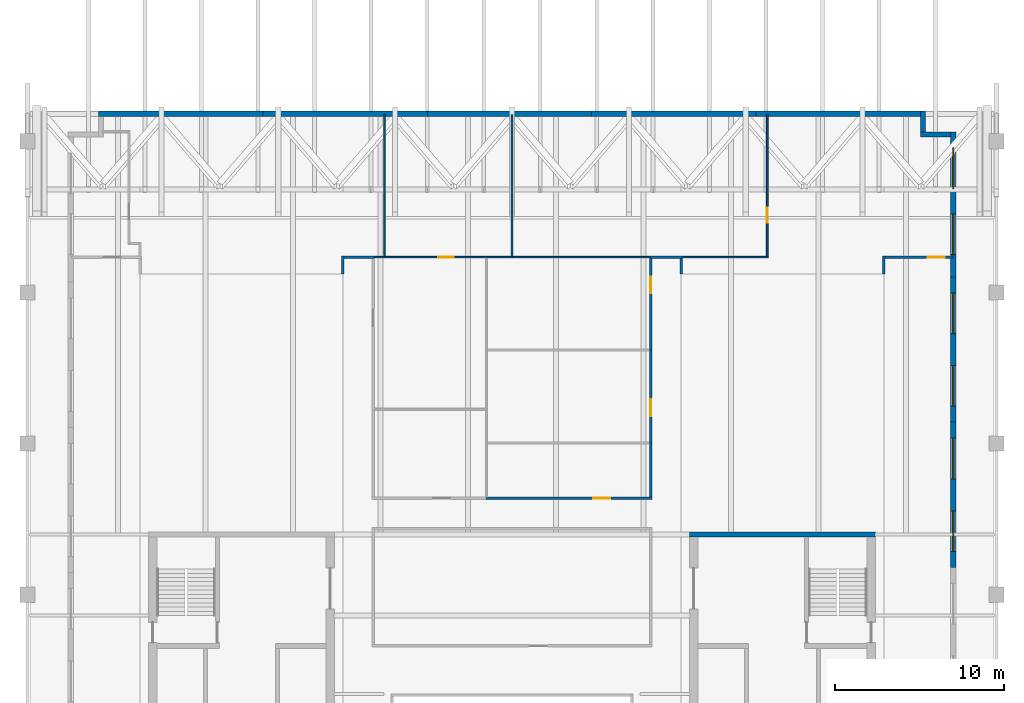
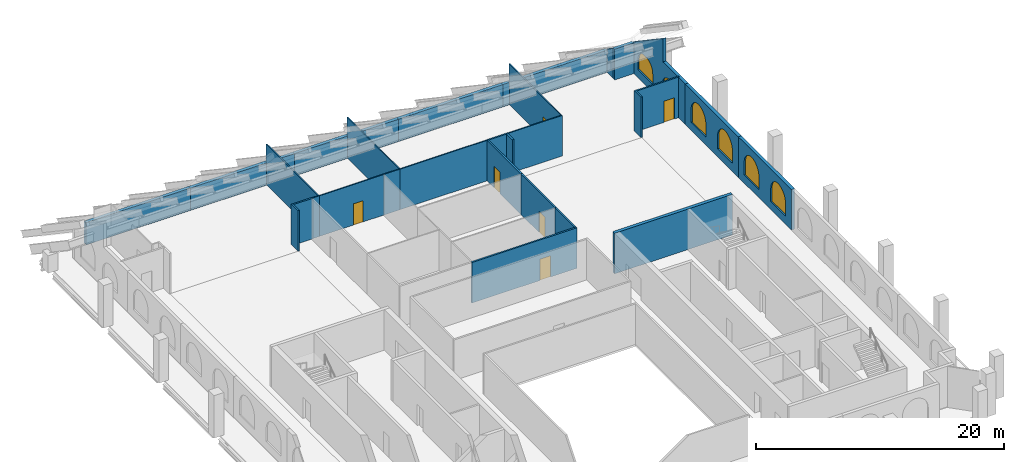
# One storey, part 7 of 9: 29 walls, 6 doors, 6 windows, 12 openings.
"""IFC4 building model written with IfcOpenShell, lengths in metres."""

from ifc_helpers import new_model, si_unit, direction, frame, frame_2d, origin, place, context, subcontext, project, spatial, polyline, rectangle, outline, extrude, material, layer, layer_set, type_object, element, fill, save


model = new_model("IFC4")

# Units and contexts
model_context = context("Model", 3, precision=1e-05, world=origin(), true_north=direction((0.0, 1.0)))
body_context = subcontext(model_context, "Body", "Model", "MODEL_VIEW")
ifc_project = project(units=[si_unit("LENGTHUNIT", "METRE"), si_unit("AREAUNIT", "SQUARE_METRE"), si_unit("VOLUMEUNIT", "CUBIC_METRE"), si_unit("PLANEANGLEUNIT", "RADIAN"), si_unit("MASSUNIT", "GRAM", prefix="KILO")], contexts=[model_context])

# Site, building, storey
site_placement = place(None, origin())
site = spatial("IfcSite", under=ifc_project, at=site_placement, CompositionType="ELEMENT")
building_placement = place(site_placement, origin())
building = spatial("IfcBuilding", under=site, at=building_placement, Name="Ogive Exchange Tower", CompositionType="ELEMENT")
storey_placement = place(building_placement, frame((0.0, 0.0, 373.199951171875)))
storey = spatial("IfcBuildingStorey", under=building, at=storey_placement, Name="C02", CompositionType="ELEMENT", Elevation=373.199951171875)

# Walls
ifc_material_1 = material(Name="Fire partition EI 60 150")
ifc_layer_1 = layer(ifc_material_1, 0.14990234375)
ifc_layer_set_1 = layer_set([ifc_layer_1], Name="Fire partition EI 60 150")
wall_type_1 = type_object("IfcWallType", Name="Fire partition EI 60 150", PredefinedType="PARTITIONING", material=ifc_layer_set_1)
wall_1_placement = place(storey_placement, frame((-10.0, 40.989990234375, 0.0), z_axis=(0.0, 0.0, 1.0), x_axis=(0.0, 1.0, 0.0)))
element("IfcWall", 1, at=wall_1_placement, inside=storey, type_object=wall_type_1, Name="C02-PWL-007", PredefinedType="PARTITIONING", context=body_context, shape_type="SweptSolid", body=[
    extrude(rectangle(XDim=1.0849609375, YDim=0.14990234375, at=frame_2d((0.54248046875, 0.0))), origin(), (0.0, 0.0, 1.0), 4.0),
])
wall_2_placement = place(storey_placement, frame((-9.925048828125, 42.0, 0.0), z_axis=(0.0, 0.0, 1.0), x_axis=(1.0, 0.0, 0.0)))
element("IfcWall", 2, at=wall_2_placement, inside=storey, type_object=wall_type_1, Name="C02-PWL-008", PredefinedType="PARTITIONING", context=body_context, shape_type="SweptSolid", body=[
    extrude(rectangle(XDim=1.800048828125, YDim=0.14990234375, at=frame_2d((0.89990234375, 0.0))), origin(), (0.0, 0.0, 1.0), 4.0),
])

# Wall, opening, door
wall_3_placement = place(storey_placement, frame((-1.550048828125, 27.72998046875, 0.0), z_axis=(0.0, 0.0, 1.0), x_axis=(1.0, 0.0, 0.0)))
wall_3 = element("IfcWall", 3, at=wall_3_placement, inside=storey, type_object=wall_type_1, Name="C02-PWL-017", PredefinedType="PARTITIONING", context=body_context, shape_type="SweptSolid", body=[
    extrude(rectangle(XDim=9.824951171875, YDim=0.14990234375, at=frame_2d((4.91259765625, 0.0))), origin(), (0.0, 0.0, 1.0), 4.0),
])
opening_1_placement = place(wall_3_placement, frame((6.35009765625, 0.0, 0.0)))
opening_1 = element("IfcOpeningElement", 4, at=opening_1_placement, cuts=wall_3, Name="Opening C02-I05", PredefinedType="OPENING", context=body_context, shape_type="SweptSolid", body=[
    extrude(rectangle(XDim=1.0, YDim=2.10009765625, at=frame_2d((0.5, 1.050048828125))), frame((0.0, 0.0849609375, 0.0), z_axis=(0.0, -1.0, 0.0), x_axis=(1.0, 0.0, 0.0)), (0.0, 0.0, 1.0), 0.169921875),
])
ifc_material_2 = material(Name="Fire door FD 30S 1000 x 2100")
door_type_1 = type_object("IfcDoorType", Name="Fire door FD 30S 1000 x 2100", OperationType="NOTDEFINED", PredefinedType="DOOR", material=ifc_material_2)
door_1_placement = place(opening_1_placement, origin())
door_1 = element("IfcDoor", 5, at=door_1_placement, inside=storey, type_object=door_type_1, Name="C02-IDR-005", ObjectType="DT3", OperationType="SINGLE_SWING_LEFT", OverallHeight=2.10009765625, OverallWidth=1.0, PredefinedType="DOOR", context=body_context, shape_type="SweptSolid", body=[
    extrude(rectangle(XDim=1.0, YDim=2.10009765625, at=frame_2d((0.5, 1.050048828125))), frame((0.0, 0.02490234375, 0.0), z_axis=(0.0, -1.0, 0.0), x_axis=(1.0, 0.0, 0.0)), (0.0, 0.0, 1.0), 0.050048828125),
])
fill(opening_1, door_1)

# Wall
wall_4_placement = place(storey_placement, frame((8.199951171875, 27.804931640625, 0.0), z_axis=(0.0, 0.0, 1.0), x_axis=(0.0, 1.0, 0.0)))
element("IfcWall", 6, at=wall_4_placement, inside=storey, type_object=wall_type_1, Name="C02-PWL-028", PredefinedType="PARTITIONING", context=body_context, shape_type="SweptSolid", body=[
    extrude(rectangle(XDim=3.195068359375, YDim=0.14990234375, at=frame_2d((1.59765625, 0.0))), origin(), (0.0, 0.0, 1.0), 4.0),
])

# Wall, opening, door
wall_5_placement = place(storey_placement, frame((8.199951171875, 31.0, 0.0), z_axis=(0.0, 0.0, 1.0), x_axis=(0.0, 1.0, 0.0)))
wall_5 = element("IfcWall", 7, at=wall_5_placement, inside=storey, type_object=wall_type_1, Name="C02-PWL-030", PredefinedType="PARTITIONING", context=body_context, shape_type="SweptSolid", body=[
    extrude(rectangle(XDim=5.550048828125, YDim=0.14990234375, at=frame_2d((2.77490234375, 0.0))), origin(), (0.0, 0.0, 1.0), 4.0),
])
opening_2_placement = place(wall_5_placement, frame((1.60009765625, 0.0, 0.0)))
opening_2 = element("IfcOpeningElement", 8, at=opening_2_placement, cuts=wall_5, Name="Opening C02-I04", PredefinedType="OPENING", context=body_context, shape_type="SweptSolid", body=[
    extrude(rectangle(XDim=1.0, YDim=2.10009765625, at=frame_2d((0.5, 1.050048828125))), frame((0.0, 0.0849609375, 0.0), z_axis=(0.0, -1.0, 0.0), x_axis=(1.0, 0.0, 0.0)), (0.0, 0.0, 1.0), 0.169921875),
])
door_2_placement = place(opening_2_placement, origin())
door_2 = element("IfcDoor", 9, at=door_2_placement, inside=storey, type_object=door_type_1, Name="C02-IDR-004", ObjectType="DT3", OperationType="SINGLE_SWING_RIGHT", OverallHeight=2.10009765625, OverallWidth=1.0, PredefinedType="DOOR", context=body_context, shape_type="SweptSolid", body=[
    extrude(rectangle(XDim=1.0, YDim=2.10009765625, at=frame_2d((0.5, 1.050048828125))), frame((0.0, 0.02490234375, 0.0), z_axis=(0.0, -1.0, 0.0), x_axis=(1.0, 0.0, 0.0)), (0.0, 0.0, 1.0), 0.050048828125),
])
fill(opening_2, door_2)

wall_6_placement = place(storey_placement, frame((8.199951171875, 36.5, 0.0), z_axis=(0.0, 0.0, 1.0), x_axis=(0.0, 1.0, 0.0)))
wall_6 = element("IfcWall", 10, at=wall_6_placement, inside=storey, type_object=wall_type_1, Name="C02-PWL-032", PredefinedType="PARTITIONING", context=body_context, shape_type="SweptSolid", body=[
    extrude(rectangle(XDim=5.449951171875, YDim=0.14990234375, at=frame_2d((2.72509765625, 0.0))), origin(), (0.0, 0.0, 1.0), 4.0),
])
opening_3_placement = place(wall_6_placement, frame((3.35009765625, 0.0, 0.0)))
opening_3 = element("IfcOpeningElement", 11, at=opening_3_placement, cuts=wall_6, Name="Opening C02-I03", PredefinedType="OPENING", context=body_context, shape_type="SweptSolid", body=[
    extrude(rectangle(XDim=1.0, YDim=2.10009765625, at=frame_2d((0.5, 1.050048828125))), frame((0.0, 0.0849609375, 0.0), z_axis=(0.0, -1.0, 0.0), x_axis=(1.0, 0.0, 0.0)), (0.0, 0.0, 1.0), 0.169921875),
])
door_3_placement = place(opening_3_placement, origin())
door_3 = element("IfcDoor", 12, at=door_3_placement, inside=storey, type_object=door_type_1, Name="C02-IDR-003", ObjectType="DT3", OperationType="SINGLE_SWING_LEFT", OverallHeight=2.10009765625, OverallWidth=1.0, PredefinedType="DOOR", context=body_context, shape_type="SweptSolid", body=[
    extrude(rectangle(XDim=1.0, YDim=2.10009765625, at=frame_2d((0.5, 1.050048828125))), frame((0.0, 0.02490234375, 0.0), z_axis=(0.0, -1.0, 0.0), x_axis=(1.0, 0.0, 0.0)), (0.0, 0.0, 1.0), 0.050048828125),
])
fill(opening_3, door_3)

# Walls
wall_7_placement = place(storey_placement, frame((8.199951171875, 42.0, 0.0), z_axis=(0.0, 0.0, 1.0), x_axis=(1.0, 0.0, 0.0)))
element("IfcWall", 13, at=wall_7_placement, inside=storey, type_object=wall_type_1, Name="C02-PWL-033", PredefinedType="PARTITIONING", context=body_context, shape_type="SweptSolid", body=[
    extrude(rectangle(XDim=1.875, YDim=0.14990234375, at=frame_2d((0.9375, 0.0))), origin(), (0.0, 0.0, 1.0), 4.0),
])
wall_8_placement = place(storey_placement, frame((10.0, 41.925048828125, 0.0), z_axis=(0.0, 0.0, 1.0), x_axis=(0.0, -1.0, 0.0)))
element("IfcWall", 14, at=wall_8_placement, inside=storey, type_object=wall_type_1, Name="C02-PWL-034", PredefinedType="PARTITIONING", context=body_context, shape_type="SweptSolid", body=[
    extrude(rectangle(XDim=0.93505859375, YDim=0.14990234375, at=frame_2d((0.467529296875, 0.0))), origin(), (0.0, 0.0, 1.0), 4.0),
])
wall_9_placement = place(storey_placement, frame((22.0, 40.989990234375, 0.0), z_axis=(0.0, 0.0, 1.0), x_axis=(0.0, 1.0, 0.0)))
element("IfcWall", 15, at=wall_9_placement, inside=storey, type_object=wall_type_1, Name="C02-PWL-037", PredefinedType="PARTITIONING", context=body_context, shape_type="SweptSolid", body=[
    extrude(rectangle(XDim=1.0849609375, YDim=0.14990234375, at=frame_2d((0.54248046875, 0.0))), origin(), (0.0, 0.0, 1.0), 4.0),
])

# Wall, opening, door
wall_10_placement = place(storey_placement, frame((22.074951171875, 42.0, 0.0), z_axis=(0.0, 0.0, 1.0), x_axis=(1.0, 0.0, 0.0)))
wall_10 = element("IfcWall", 16, at=wall_10_placement, inside=storey, type_object=wall_type_1, Name="C02-PWL-038", PredefinedType="PARTITIONING", context=body_context, shape_type="SweptSolid", body=[
    extrude(rectangle(XDim=3.97509765625, YDim=0.14990234375, at=frame_2d((1.987548828125, 0.0))), origin(), (0.0, 0.0, 1.0), 4.0),
])
opening_4_placement = place(wall_10_placement, frame((2.52490234375, 0.0, 0.0)))
opening_4 = element("IfcOpeningElement", 17, at=opening_4_placement, cuts=wall_10, Name="Opening C02-I06", PredefinedType="OPENING", context=body_context, shape_type="SweptSolid", body=[
    extrude(rectangle(XDim=1.0, YDim=2.10009765625, at=frame_2d((0.5, 1.050048828125))), frame((0.0, 0.0849609375, 0.0), z_axis=(0.0, -1.0, 0.0), x_axis=(1.0, 0.0, 0.0)), (0.0, 0.0, 1.0), 0.169921875),
])
door_4_placement = place(opening_4_placement, origin())
door_4 = element("IfcDoor", 18, at=door_4_placement, inside=storey, type_object=door_type_1, Name="C02-IDR-006", ObjectType="DT3", OperationType="SINGLE_SWING_LEFT", OverallHeight=2.10009765625, OverallWidth=1.0, PredefinedType="DOOR", context=body_context, shape_type="SweptSolid", body=[
    extrude(rectangle(XDim=1.0, YDim=2.10009765625, at=frame_2d((0.5, 1.050048828125))), frame((0.0, 0.02490234375, 0.0), z_axis=(0.0, -1.0, 0.0), x_axis=(1.0, 0.0, 0.0)), (0.0, 0.0, 1.0), 0.050048828125),
])
fill(opening_4, door_4)

# Walls
ifc_material_3 = material(Name="Partition 100 gypsum")
ifc_layer_2 = layer(ifc_material_3, 0.10009765625)
ifc_layer_set_2 = layer_set([ifc_layer_2], Name="Partition 100 gypsum")
wall_type_2 = type_object("IfcWallType", Name="Partition 100 gypsum", PredefinedType="PARTITIONING", material=ifc_layer_set_2)
wall_11_placement = place(storey_placement, frame((-8.125, 42.0, 0.0), z_axis=(0.0, 0.0, 1.0), x_axis=(1.0, 0.0, 0.0)))
element("IfcWall", 19, at=wall_11_placement, inside=storey, type_object=wall_type_2, Name="C02-PWL-014", PredefinedType="PARTITIONING", context=body_context, shape_type="SweptSolid", body=[
    extrude(rectangle(XDim=0.625, YDim=0.10009765625, at=frame_2d((0.3125, 0.0))), origin(), (0.0, 0.0, 1.0), 4.0),
])
wall_12_placement = place(storey_placement, frame((-7.550048828125, 42.050048828125, 0.0), z_axis=(0.0, 0.0, 1.0), x_axis=(0.0, 1.0, 0.0)))
element("IfcWall", 20, at=wall_12_placement, inside=storey, type_object=wall_type_2, Name="C02-PWL-015", PredefinedType="PARTITIONING", context=body_context, shape_type="SweptSolid", body=[
    extrude(rectangle(XDim=8.3779296875, YDim=0.10009765625, at=frame_2d((4.18896484375, 0.0))), origin(), (0.0, 0.0, 1.0), 4.0),
])

# Wall, opening, door
wall_13_placement = place(storey_placement, frame((-7.550048828125, 42.0, 0.0), z_axis=(0.0, 0.0, 1.0), x_axis=(1.0, 0.0, 0.0)))
wall_13 = element("IfcWall", 21, at=wall_13_placement, inside=storey, type_object=wall_type_2, Name="C02-PWL-016", PredefinedType="PARTITIONING", context=body_context, shape_type="SweptSolid", body=[
    extrude(rectangle(XDim=6.10009765625, YDim=0.10009765625, at=frame_2d((3.050048828125, 0.0))), origin(), (0.0, 0.0, 1.0), 4.0),
])
opening_5_placement = place(wall_13_placement, frame((3.199951171875, 0.0, 0.0)))
opening_5 = element("IfcOpeningElement", 22, at=opening_5_placement, cuts=wall_13, Name="Opening C02-I08", PredefinedType="OPENING", context=body_context, shape_type="SweptSolid", body=[
    extrude(rectangle(XDim=0.89990234375, YDim=2.10009765625, at=frame_2d((0.449951171875, 1.050048828125))), frame((0.0, 0.06005859375, 0.0), z_axis=(0.0, -1.0, 0.0), x_axis=(1.0, 0.0, 0.0)), (0.0, 0.0, 1.0), 0.1201171875),
])
ifc_material_4 = material(Name="Door 900 x 2100")
door_type_2 = type_object("IfcDoorType", Name="Door 900 x 2100", OperationType="NOTDEFINED", PredefinedType="DOOR", material=ifc_material_4)
door_5_placement = place(opening_5_placement, frame((0.89990234375, 0.0, 0.0), z_axis=(0.0, 0.0, 1.0), x_axis=(-1.0, 0.0, 0.0)))
door_5 = element("IfcDoor", 23, at=door_5_placement, inside=storey, type_object=door_type_2, Name="C02-IDR-008", ObjectType="DT1", OperationType="SINGLE_SWING_RIGHT", OverallHeight=2.10009765625, OverallWidth=0.89990234375, PredefinedType="DOOR", context=body_context, shape_type="SweptSolid", body=[
    extrude(rectangle(XDim=0.89990234375, YDim=2.10009765625, at=frame_2d((0.449951171875, 1.050048828125))), frame((0.0, 0.02490234375, 0.0), z_axis=(0.0, -1.0, 0.0), x_axis=(1.0, 0.0, 0.0)), (0.0, 0.0, 1.0), 0.050048828125),
])
fill(opening_5, door_5)

# Walls
wall_14_placement = place(storey_placement, frame((-1.5, 42.0, 0.0), z_axis=(0.0, 0.0, 1.0), x_axis=(1.0, 0.0, 0.0)))
element("IfcWall", 24, at=wall_14_placement, inside=storey, type_object=wall_type_2, Name="C02-PWL-023", PredefinedType="PARTITIONING", context=body_context, shape_type="SweptSolid", body=[
    extrude(rectangle(XDim=1.5, YDim=0.10009765625, at=frame_2d((0.75, 0.0))), origin(), (0.0, 0.0, 1.0), 4.0),
])
wall_15_placement = place(storey_placement, frame((0.0, 42.050048828125, 0.0), z_axis=(0.0, 0.0, 1.0), x_axis=(0.0, 1.0, 0.0)))
element("IfcWall", 25, at=wall_15_placement, inside=storey, type_object=wall_type_2, Name="C02-PWL-024", PredefinedType="PARTITIONING", context=body_context, shape_type="SweptSolid", body=[
    extrude(rectangle(XDim=8.3779296875, YDim=0.10009765625, at=frame_2d((4.18896484375, 0.0))), origin(), (0.0, 0.0, 1.0), 4.0),
])
wall_16_placement = place(storey_placement, frame((0.0, 42.0, 0.0), z_axis=(0.0, 0.0, 1.0), x_axis=(1.0, 0.0, 0.0)))
element("IfcWall", 26, at=wall_16_placement, inside=storey, type_object=wall_type_2, Name="C02-PWL-025", PredefinedType="PARTITIONING", context=body_context, shape_type="SweptSolid", body=[
    extrude(rectangle(XDim=8.199951171875, YDim=0.10009765625, at=frame_2d((4.10009765625, 0.0))), origin(), (0.0, 0.0, 1.0), 4.0),
])
wall_17_placement = place(storey_placement, frame((10.074951171875, 42.0, 0.0), z_axis=(0.0, 0.0, 1.0), x_axis=(1.0, 0.0, 0.0)))
element("IfcWall", 27, at=wall_17_placement, inside=storey, type_object=wall_type_2, Name="C02-PWL-035", PredefinedType="PARTITIONING", context=body_context, shape_type="SweptSolid", body=[
    extrude(rectangle(XDim=5.074951171875, YDim=0.10009765625, at=frame_2d((2.53759765625, 0.0))), origin(), (0.0, 0.0, 1.0), 4.0),
])

# Wall, opening, door
wall_18_placement = place(storey_placement, frame((15.10009765625, 42.050048828125, 0.0), z_axis=(0.0, 0.0, 1.0), x_axis=(0.0, 1.0, 0.0)))
wall_18 = element("IfcWall", 28, at=wall_18_placement, inside=storey, type_object=wall_type_2, Name="C02-PWL-036", PredefinedType="PARTITIONING", context=body_context, shape_type="SweptSolid", body=[
    extrude(rectangle(XDim=8.3779296875, YDim=0.10009765625, at=frame_2d((4.18896484375, 0.0))), origin(), (0.0, 0.0, 1.0), 4.0),
])
opening_6_placement = place(wall_18_placement, frame((1.97998046875, 0.0, 0.0)))
opening_6 = element("IfcOpeningElement", 29, at=opening_6_placement, cuts=wall_18, Name="Opening C02-I07", PredefinedType="OPENING", context=body_context, shape_type="SweptSolid", body=[
    extrude(rectangle(XDim=0.89990234375, YDim=2.10009765625, at=frame_2d((0.449951171875, 1.050048828125))), frame((0.0, 0.06005859375, 0.0), z_axis=(0.0, -1.0, 0.0), x_axis=(1.0, 0.0, 0.0)), (0.0, 0.0, 1.0), 0.1201171875),
])
door_6_placement = place(opening_6_placement, frame((0.89990234375, 0.0, 0.0), z_axis=(0.0, 0.0, 1.0), x_axis=(-1.0, 0.0, 0.0)))
door_6 = element("IfcDoor", 30, at=door_6_placement, inside=storey, type_object=door_type_2, Name="C02-IDR-007", ObjectType="DT1", OperationType="SINGLE_SWING_RIGHT", OverallHeight=2.10009765625, OverallWidth=0.89990234375, PredefinedType="DOOR", context=body_context, shape_type="SweptSolid", body=[
    extrude(rectangle(XDim=0.89990234375, YDim=2.10009765625, at=frame_2d((0.449951171875, 1.050048828125))), frame((0.0, 0.02490234375, 0.0), z_axis=(0.0, -1.0, 0.0), x_axis=(1.0, 0.0, 0.0)), (0.0, 0.0, 1.0), 0.050048828125),
])
fill(opening_6, door_6)

# Wall
ifc_material_5 = material(Name="Concrete C70/85", Category="concrete")
ifc_layer_3 = layer(ifc_material_5, 0.300048828125)
ifc_layer_set_3 = layer_set([ifc_layer_3], Name="RC core wall 300 C70/85")
wall_type_3 = type_object("IfcWallType", Name="RC core wall 300 C70/85", PredefinedType="SHEAR", material=ifc_layer_set_3)
wall_19_placement = place(storey_placement, frame((10.5, 25.60009765625, 0.0), z_axis=(0.0, 0.0, 1.0), x_axis=(1.0, 0.0, 0.0)))
element("IfcWall", 31, at=wall_19_placement, inside=storey, type_object=wall_type_3, Name="E north end wall", PredefinedType="SHEAR", context=body_context, shape_type="SweptSolid", body=[
    extrude(rectangle(XDim=11.0, YDim=0.300048828125, at=frame_2d((5.5, 0.0))), origin(), (0.0, 0.0, 1.0), 4.0),
])

# Wall, openings, windows
ifc_material_6 = material(Name="Precast concrete C40/50", Category="concrete")
ifc_layer_4 = layer(ifc_material_6, 0.300048828125)
ifc_layer_set_4 = layer_set([ifc_layer_4], Name="Zinc-clad crown wall 300")
wall_type_4 = type_object("IfcWallType", Name="Zinc-clad crown wall 300", PredefinedType="STANDARD", material=ifc_layer_set_4)
wall_20_placement = place(storey_placement, frame((26.10009765625, 23.64990234375, 0.0), z_axis=(0.0, 0.0, 1.0), x_axis=(0.0, 1.0, 0.0)))
wall_20 = element("IfcWall", 32, at=wall_20_placement, inside=storey, type_object=wall_type_4, Name="Crown wall 16", PredefinedType="STANDARD", context=body_context, shape_type="SweptSolid", body=[
    extrude(rectangle(XDim=8.58349609375, YDim=0.300048828125, at=frame_2d((4.291748046875, 0.0))), origin(), (0.0, 0.0, 1.0), 4.0),
])
opening_7_placement = place(wall_20_placement, frame((0.94580078125, 0.0, 0.800048828125)))
opening_7 = element("IfcOpeningElement", 33, at=opening_7_placement, cuts=wall_20, Name="Opening WC25", PredefinedType="OPENING", context=body_context, shape_type="SweptSolid", body=[
    extrude(outline(polyline([(0.0, 0.0), (2.39990234375, 0.0), (2.39990234375, 1.25), (2.377197265625, 1.48779296875), (2.3095703125, 1.717041015625), (2.19970703125, 1.928955078125), (2.05126953125, 2.116455078125), (1.8701171875, 2.272216796875), (1.662841796875, 2.390625), (1.4365234375, 2.467529296875), (1.199951171875, 2.5), (0.96337890625, 2.467529296875), (0.737060546875, 2.390625), (0.52978515625, 2.272216796875), (0.3486328125, 2.116455078125), (0.2001953125, 1.928955078125), (0.09033203125, 1.717041015625), (0.022705078125, 1.48779296875), (0.0, 1.25), (0.0, 0.0)])), frame((0.0, 0.159912109375, 0.0), z_axis=(0.0, -1.0, 0.0), x_axis=(1.0, 0.0, 0.0)), (0.0, 0.0, 1.0), 0.320068359375),
])
opening_8_placement = place(wall_20_placement, frame((5.237548828125, 0.0, 0.800048828125)))
opening_8 = element("IfcOpeningElement", 34, at=opening_8_placement, cuts=wall_20, Name="Opening WC25", PredefinedType="OPENING", context=body_context, shape_type="SweptSolid", body=[
    extrude(outline(polyline([(0.0, 0.0), (2.39990234375, 0.0), (2.39990234375, 1.25), (2.377197265625, 1.48779296875), (2.3095703125, 1.717041015625), (2.19970703125, 1.928955078125), (2.05126953125, 2.116455078125), (1.8701171875, 2.272216796875), (1.662841796875, 2.390625), (1.4365234375, 2.467529296875), (1.199951171875, 2.5), (0.96337890625, 2.467529296875), (0.737060546875, 2.390625), (0.52978515625, 2.272216796875), (0.3486328125, 2.116455078125), (0.2001953125, 1.928955078125), (0.09033203125, 1.717041015625), (0.022705078125, 1.48779296875), (0.0, 1.25), (0.0, 0.0)])), frame((0.0, 0.159912109375, 0.0), z_axis=(0.0, -1.0, 0.0), x_axis=(1.0, 0.0, 0.0)), (0.0, 0.0, 1.0), 0.320068359375),
])
ifc_material_7 = material(Name="Clear glass in bronze frame", Category="glass")
window_type_1 = type_object("IfcWindowType", Name="Crown lancet window 2400 x 2500", PartitioningType="DOUBLE_PANEL_VERTICAL", PredefinedType="WINDOW", material=ifc_material_7)
window_1_placement = place(opening_7_placement, origin())
window_1 = element("IfcWindow", 35, at=window_1_placement, inside=storey, type_object=window_type_1, Name="Crown lancet 16.1", OverallHeight=2.5, OverallWidth=2.39990234375, PartitioningType="DOUBLE_PANEL_VERTICAL", PredefinedType="WINDOW", context=body_context, shape_type="SweptSolid", body=[
    extrude(outline(polyline([(0.0, 0.0), (2.39990234375, 0.0), (2.39990234375, 1.25), (2.377197265625, 1.48779296875), (2.3095703125, 1.717041015625), (2.19970703125, 1.928955078125), (2.05126953125, 2.116455078125), (1.8701171875, 2.272216796875), (1.662841796875, 2.390625), (1.4365234375, 2.467529296875), (1.199951171875, 2.5), (0.96337890625, 2.467529296875), (0.737060546875, 2.390625), (0.52978515625, 2.272216796875), (0.3486328125, 2.116455078125), (0.2001953125, 1.928955078125), (0.09033203125, 1.717041015625), (0.022705078125, 1.48779296875), (0.0, 1.25), (0.0, 0.0)])), frame((0.0, 0.030029296875, 0.0), z_axis=(0.0, -1.0, 0.0), x_axis=(1.0, 0.0, 0.0)), (0.0, 0.0, 1.0), 0.06005859375),
])
fill(opening_7, window_1)
window_2_placement = place(opening_8_placement, origin())
window_2 = element("IfcWindow", 36, at=window_2_placement, inside=storey, type_object=window_type_1, Name="Crown lancet 16.2", OverallHeight=2.5, OverallWidth=2.39990234375, PartitioningType="DOUBLE_PANEL_VERTICAL", PredefinedType="WINDOW", context=body_context, shape_type="SweptSolid", body=[
    extrude(outline(polyline([(0.0, 0.0), (2.39990234375, 0.0), (2.39990234375, 1.25), (2.377197265625, 1.48779296875), (2.3095703125, 1.717041015625), (2.19970703125, 1.928955078125), (2.05126953125, 2.116455078125), (1.8701171875, 2.272216796875), (1.662841796875, 2.390625), (1.4365234375, 2.467529296875), (1.199951171875, 2.5), (0.96337890625, 2.467529296875), (0.737060546875, 2.390625), (0.52978515625, 2.272216796875), (0.3486328125, 2.116455078125), (0.2001953125, 1.928955078125), (0.09033203125, 1.717041015625), (0.022705078125, 1.48779296875), (0.0, 1.25), (0.0, 0.0)])), frame((0.0, 0.030029296875, 0.0), z_axis=(0.0, -1.0, 0.0), x_axis=(1.0, 0.0, 0.0)), (0.0, 0.0, 1.0), 0.06005859375),
])
fill(opening_8, window_2)

wall_21_placement = place(storey_placement, frame((26.10009765625, 32.2333984375, 0.0), z_axis=(0.0, 0.0, 1.0), x_axis=(0.0, 1.0, 0.0)))
wall_21 = element("IfcWall", 37, at=wall_21_placement, inside=storey, type_object=wall_type_4, Name="Crown wall 17", PredefinedType="STANDARD", context=body_context, shape_type="SweptSolid", body=[
    extrude(rectangle(XDim=8.583251953125, YDim=0.300048828125, at=frame_2d((4.29150390625, 0.0))), origin(), (0.0, 0.0, 1.0), 4.0),
])
opening_9_placement = place(wall_21_placement, frame((0.94580078125, 0.0, 0.800048828125)))
opening_9 = element("IfcOpeningElement", 38, at=opening_9_placement, cuts=wall_21, Name="Opening WC25", PredefinedType="OPENING", context=body_context, shape_type="SweptSolid", body=[
    extrude(outline(polyline([(0.0, 0.0), (2.39990234375, 0.0), (2.39990234375, 1.25), (2.377197265625, 1.48779296875), (2.3095703125, 1.717041015625), (2.19970703125, 1.928955078125), (2.05126953125, 2.116455078125), (1.8701171875, 2.272216796875), (1.662841796875, 2.390625), (1.4365234375, 2.467529296875), (1.199951171875, 2.5), (0.96337890625, 2.467529296875), (0.737060546875, 2.390625), (0.52978515625, 2.272216796875), (0.3486328125, 2.116455078125), (0.2001953125, 1.928955078125), (0.09033203125, 1.717041015625), (0.022705078125, 1.48779296875), (0.0, 1.25), (0.0, 0.0)])), frame((0.0, 0.159912109375, 0.0), z_axis=(0.0, -1.0, 0.0), x_axis=(1.0, 0.0, 0.0)), (0.0, 0.0, 1.0), 0.320068359375),
])
opening_10_placement = place(wall_21_placement, frame((5.237548828125, 0.0, 0.800048828125)))
opening_10 = element("IfcOpeningElement", 39, at=opening_10_placement, cuts=wall_21, Name="Opening WC25", PredefinedType="OPENING", context=body_context, shape_type="SweptSolid", body=[
    extrude(outline(polyline([(0.0, 0.0), (2.39990234375, 0.0), (2.39990234375, 1.25), (2.377197265625, 1.48779296875), (2.3095703125, 1.717041015625), (2.19970703125, 1.928955078125), (2.05126953125, 2.116455078125), (1.8701171875, 2.272216796875), (1.662841796875, 2.390625), (1.4365234375, 2.467529296875), (1.199951171875, 2.5), (0.96337890625, 2.467529296875), (0.737060546875, 2.390625), (0.52978515625, 2.272216796875), (0.3486328125, 2.116455078125), (0.2001953125, 1.928955078125), (0.09033203125, 1.717041015625), (0.022705078125, 1.48779296875), (0.0, 1.25), (0.0, 0.0)])), frame((0.0, 0.159912109375, 0.0), z_axis=(0.0, -1.0, 0.0), x_axis=(1.0, 0.0, 0.0)), (0.0, 0.0, 1.0), 0.320068359375),
])
window_3_placement = place(opening_9_placement, origin())
window_3 = element("IfcWindow", 40, at=window_3_placement, inside=storey, type_object=window_type_1, Name="Crown lancet 17.1", OverallHeight=2.5, OverallWidth=2.39990234375, PartitioningType="DOUBLE_PANEL_VERTICAL", PredefinedType="WINDOW", context=body_context, shape_type="SweptSolid", body=[
    extrude(outline(polyline([(0.0, 0.0), (2.39990234375, 0.0), (2.39990234375, 1.25), (2.377197265625, 1.48779296875), (2.3095703125, 1.717041015625), (2.19970703125, 1.928955078125), (2.05126953125, 2.116455078125), (1.8701171875, 2.272216796875), (1.662841796875, 2.390625), (1.4365234375, 2.467529296875), (1.199951171875, 2.5), (0.96337890625, 2.467529296875), (0.737060546875, 2.390625), (0.52978515625, 2.272216796875), (0.3486328125, 2.116455078125), (0.2001953125, 1.928955078125), (0.09033203125, 1.717041015625), (0.022705078125, 1.48779296875), (0.0, 1.25), (0.0, 0.0)])), frame((0.0, 0.030029296875, 0.0), z_axis=(0.0, -1.0, 0.0), x_axis=(1.0, 0.0, 0.0)), (0.0, 0.0, 1.0), 0.06005859375),
])
fill(opening_9, window_3)
window_4_placement = place(opening_10_placement, origin())
window_4 = element("IfcWindow", 41, at=window_4_placement, inside=storey, type_object=window_type_1, Name="Crown lancet 17.2", OverallHeight=2.5, OverallWidth=2.39990234375, PartitioningType="DOUBLE_PANEL_VERTICAL", PredefinedType="WINDOW", context=body_context, shape_type="SweptSolid", body=[
    extrude(outline(polyline([(0.0, 0.0), (2.39990234375, 0.0), (2.39990234375, 1.25), (2.377197265625, 1.48779296875), (2.3095703125, 1.717041015625), (2.19970703125, 1.928955078125), (2.05126953125, 2.116455078125), (1.8701171875, 2.272216796875), (1.662841796875, 2.390625), (1.4365234375, 2.467529296875), (1.199951171875, 2.5), (0.96337890625, 2.467529296875), (0.737060546875, 2.390625), (0.52978515625, 2.272216796875), (0.3486328125, 2.116455078125), (0.2001953125, 1.928955078125), (0.09033203125, 1.717041015625), (0.022705078125, 1.48779296875), (0.0, 1.25), (0.0, 0.0)])), frame((0.0, 0.030029296875, 0.0), z_axis=(0.0, -1.0, 0.0), x_axis=(1.0, 0.0, 0.0)), (0.0, 0.0, 1.0), 0.06005859375),
])
fill(opening_10, window_4)

wall_22_placement = place(storey_placement, frame((26.10009765625, 40.816650390625, 0.0), z_axis=(0.0, 0.0, 1.0), x_axis=(0.0, 1.0, 0.0)))
wall_22 = element("IfcWall", 42, at=wall_22_placement, inside=storey, type_object=wall_type_4, Name="Crown wall 18", PredefinedType="STANDARD", context=body_context, shape_type="SweptSolid", body=[
    extrude(outline(polyline([(0.0, 0.0), (8.583251953125, 0.0), (8.583251953125, 2.9267578125), (6.9921875, 4.0), (3.6044921875, 6.28515625), (3.58447265625, 6.2978515625), (3.58447265625, 4.0), (0.0, 4.0), (0.0, 0.0)])), frame((0.0, 0.14990234375, 0.0), z_axis=(0.0, -1.0, 0.0), x_axis=(1.0, 0.0, 0.0)), (0.0, 0.0, 1.0), 0.300048828125),
])
opening_11_placement = place(wall_22_placement, frame((1.333251953125, 0.0, 0.800048828125)))
opening_11 = element("IfcOpeningElement", 43, at=opening_11_placement, cuts=wall_22, Name="Opening WC25A", PredefinedType="OPENING", context=body_context, shape_type="SweptSolid", body=[
    extrude(outline(polyline([(0.0, 0.0), (2.39990234375, 0.0), (2.39990234375, 0.85009765625), (2.377197265625, 1.087890625), (2.3095703125, 1.317138671875), (2.19970703125, 1.529052734375), (2.05126953125, 1.716552734375), (1.8701171875, 1.872314453125), (1.662841796875, 1.99072265625), (1.4365234375, 2.067626953125), (1.199951171875, 2.10009765625), (0.96337890625, 2.067626953125), (0.737060546875, 1.99072265625), (0.52978515625, 1.872314453125), (0.3486328125, 1.716552734375), (0.2001953125, 1.529052734375), (0.09033203125, 1.317138671875), (0.022705078125, 1.087890625), (0.0, 0.85009765625), (0.0, 0.0)])), frame((0.0, 0.159912109375, 0.0), z_axis=(0.0, -1.0, 0.0), x_axis=(1.0, 0.0, 0.0)), (0.0, 0.0, 1.0), 0.320068359375),
])
opening_12_placement = place(wall_22_placement, frame((5.237548828125, 0.0, 0.800048828125)))
opening_12 = element("IfcOpeningElement", 44, at=opening_12_placement, cuts=wall_22, Name="Opening WC20", PredefinedType="OPENING", context=body_context, shape_type="SweptSolid", body=[
    extrude(outline(polyline([(0.0, 0.0), (2.39990234375, 0.0), (2.39990234375, 1.0), (2.375732421875, 1.220947265625), (2.303955078125, 1.43115234375), (2.188232421875, 1.620849609375), (2.0341796875, 1.781005859375), (1.848876953125, 1.90380859375), (1.641357421875, 1.9833984375), (1.421630859375, 2.015869140625), (1.199951171875, 2.0), (0.978271484375, 2.015869140625), (0.758544921875, 1.9833984375), (0.551025390625, 1.90380859375), (0.36572265625, 1.781005859375), (0.211669921875, 1.620849609375), (0.095947265625, 1.43115234375), (0.024169921875, 1.220947265625), (0.0, 1.0), (0.0, 0.0)])), frame((0.0, 0.159912109375, 0.0), z_axis=(0.0, -1.0, 0.0), x_axis=(1.0, 0.0, 0.0)), (0.0, 0.0, 1.0), 0.320068359375),
])
window_type_2 = type_object("IfcWindowType", Name="Crown lancet window 2400 x 2000", PartitioningType="DOUBLE_PANEL_VERTICAL", PredefinedType="WINDOW", material=ifc_material_7)
window_5_placement = place(opening_12_placement, origin())
window_5 = element("IfcWindow", 45, at=window_5_placement, inside=storey, type_object=window_type_2, Name="Crown lancet 18.2", OverallHeight=2.0, OverallWidth=2.39990234375, PartitioningType="DOUBLE_PANEL_VERTICAL", PredefinedType="WINDOW", context=body_context, shape_type="SweptSolid", body=[
    extrude(outline(polyline([(0.0, 0.0), (2.39990234375, 0.0), (2.39990234375, 1.0), (2.375732421875, 1.220947265625), (2.303955078125, 1.43115234375), (2.188232421875, 1.620849609375), (2.0341796875, 1.781005859375), (1.848876953125, 1.90380859375), (1.641357421875, 1.9833984375), (1.421630859375, 2.015869140625), (1.199951171875, 2.0), (0.978271484375, 2.015869140625), (0.758544921875, 1.9833984375), (0.551025390625, 1.90380859375), (0.36572265625, 1.781005859375), (0.211669921875, 1.620849609375), (0.095947265625, 1.43115234375), (0.024169921875, 1.220947265625), (0.0, 1.0), (0.0, 0.0)])), frame((0.0, 0.030029296875, 0.0), z_axis=(0.0, -1.0, 0.0), x_axis=(1.0, 0.0, 0.0)), (0.0, 0.0, 1.0), 0.06005859375),
])
fill(opening_12, window_5)
window_type_3 = type_object("IfcWindowType", Name="Crown lancet window 2400 x 2100", PartitioningType="DOUBLE_PANEL_VERTICAL", PredefinedType="WINDOW", material=ifc_material_7)
window_6_placement = place(opening_11_placement, origin())
window_6 = element("IfcWindow", 46, at=window_6_placement, inside=storey, type_object=window_type_3, Name="Crown lancet 18.1", OverallHeight=2.10009765625, OverallWidth=2.39990234375, PartitioningType="DOUBLE_PANEL_VERTICAL", PredefinedType="WINDOW", context=body_context, shape_type="SweptSolid", body=[
    extrude(outline(polyline([(0.0, 0.0), (2.39990234375, 0.0), (2.39990234375, 0.85009765625), (2.377197265625, 1.087890625), (2.3095703125, 1.317138671875), (2.19970703125, 1.529052734375), (2.05126953125, 1.716552734375), (1.8701171875, 1.872314453125), (1.662841796875, 1.99072265625), (1.4365234375, 2.067626953125), (1.199951171875, 2.10009765625), (0.96337890625, 2.067626953125), (0.737060546875, 1.99072265625), (0.52978515625, 1.872314453125), (0.3486328125, 1.716552734375), (0.2001953125, 1.529052734375), (0.09033203125, 1.317138671875), (0.022705078125, 1.087890625), (0.0, 0.85009765625), (0.0, 0.0)])), frame((0.0, 0.030029296875, 0.0), z_axis=(0.0, -1.0, 0.0), x_axis=(1.0, 0.0, 0.0)), (0.0, 0.0, 1.0), 0.06005859375),
])
fill(opening_11, window_6)

# Walls
wall_23_placement = place(storey_placement, frame((25.949951171875, 49.25, 0.0), z_axis=(0.0, 0.0, 1.0), x_axis=(-1.0, 0.0, 0.0)))
element("IfcWall", 47, at=wall_23_placement, inside=storey, type_object=wall_type_4, Name="Crown wall 19", PredefinedType="STANDARD", context=body_context, shape_type="SweptSolid", body=[
    extrude(rectangle(XDim=1.800048828125, YDim=0.300048828125, at=frame_2d((0.89990234375, 0.0))), origin(), (0.0, 0.0, 1.0), 3.02783203125),
])
wall_24_placement = place(storey_placement, frame((24.300048828125, 49.39990234375, 0.0), z_axis=(0.0, 0.0, 1.0), x_axis=(0.0, 1.0, 0.0)))
element("IfcWall", 48, at=wall_24_placement, inside=storey, type_object=wall_type_4, Name="Crown wall 20", PredefinedType="STANDARD", context=body_context, shape_type="SweptSolid", body=[
    extrude(outline(polyline([(0.0, 0.0), (1.22802734375, 0.0), (1.227783203125, 2.098388671875), (0.0, 2.9267578125), (0.0, 0.0)])), frame((0.0, 0.14990234375, 0.0), z_axis=(0.0, -1.0, 0.0), x_axis=(1.0, 0.0, 0.0)), (0.0, 0.0, 1.0), 0.300048828125),
])
for number, where, z_axis, x_axis, name in (
    (49, (24.14990234375, 50.477783203125, 0.0), (0.0, 0.0, 1.0), (-1.0, 0.0, 0.0), "Crown wall 21"),
    (50, (14.429931640625, 50.477783203125, 0.0), (0.0, 0.0, 1.0), (-1.0, 0.0, 0.0), "Crown wall 22"),
    (51, (4.7099609375, 50.477783203125, 0.0), (0.0, 0.0, 1.0), (-1.0, 0.0, 0.0), "Crown wall 23"),
    (52, (-5.010009765625, 50.477783203125, 0.0), (0.0, 0.0, 1.0), (-1.0, 0.0, 0.0), "Crown wall 24"),
    (53, (-14.72998046875, 50.477783203125, 0.0), (0.0, 0.0, 1.0), (-1.0, 0.0, 0.0), "Crown wall 25"),
):
    element("IfcWall", number, at=place(storey_placement, frame(where, z_axis=z_axis, x_axis=x_axis)), inside=storey, type_object=wall_type_4, Name=name, PredefinedType="STANDARD", context=body_context, shape_type="SweptSolid", body=[
        extrude(rectangle(XDim=9.719970703125, YDim=0.300048828125, at=frame_2d((4.85986328125, 0.0))), origin(), (0.0, 0.0, 1.0), 2.19970703125),
    ])

save(model, "model.ifc")
